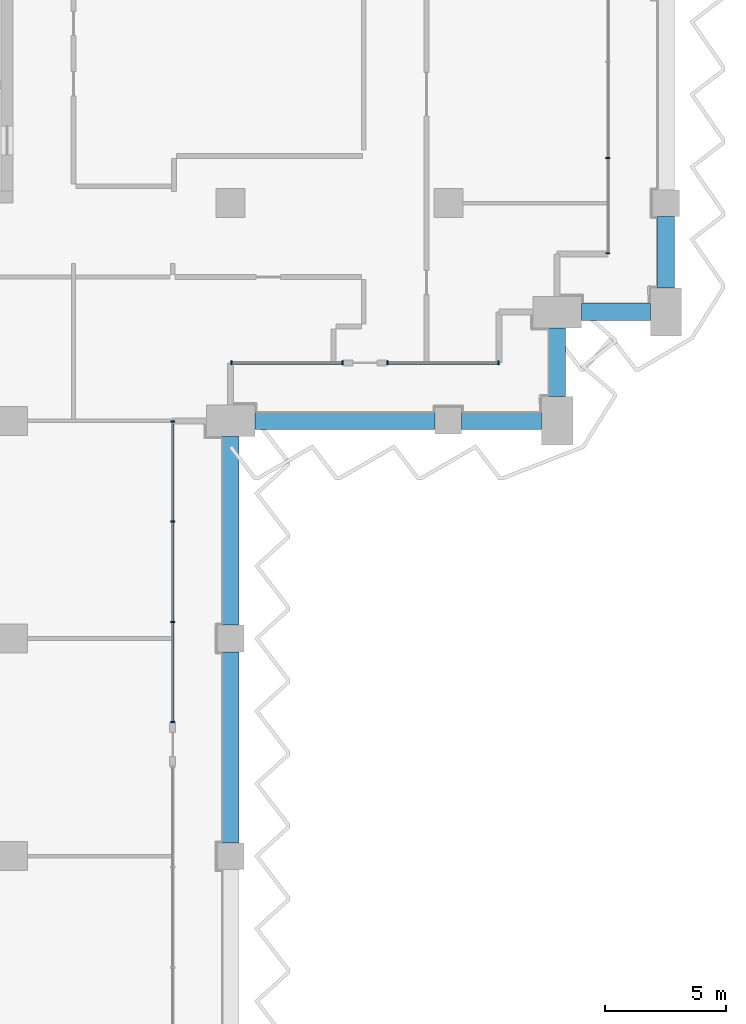
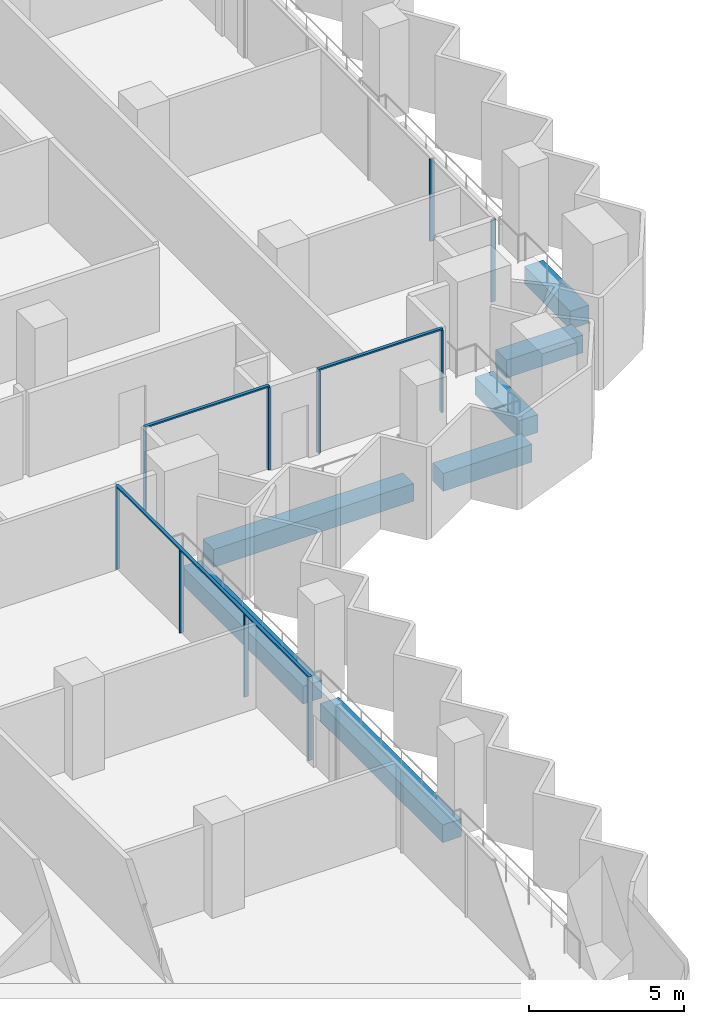
# One storey, part 4 of 22: 13 members, 7 beams, 4 elements without a shape of their own.
"""IFC4 building model written with IfcOpenShell, lengths in metres."""

from ifc_helpers import new_model, si_unit, direction, frame, origin, origin_2d, place, context, subcontext, project, spatial, rectangle, extrude, material, material_profile, profile_set, type_object, element, aggregate, save


model = new_model("IFC4")

# Units and contexts
model_context = context("Model", 3, precision=1e-05, world=origin(), true_north=direction((0.0, 1.0)))
body_context = subcontext(model_context, "Body", "Model", "MODEL_VIEW")
ifc_project = project(units=[si_unit("LENGTHUNIT", "METRE"), si_unit("AREAUNIT", "SQUARE_METRE"), si_unit("VOLUMEUNIT", "CUBIC_METRE"), si_unit("PLANEANGLEUNIT", "RADIAN"), si_unit("MASSUNIT", "GRAM", prefix="KILO")], contexts=[model_context])

# Site, building, storey
site_placement = place(None, origin())
site = spatial("IfcSite", under=ifc_project, at=site_placement, CompositionType="ELEMENT")
building_placement = place(site_placement, origin())
building = spatial("IfcBuilding", under=site, at=building_placement, Name="Hunhe Ridgeline Campus", CompositionType="ELEMENT")
storey_placement = place(building_placement, frame((0.0, 0.0, 163.39990234375)))
storey = spatial("IfcBuildingStorey", under=building, at=storey_placement, Name="L41", CompositionType="ELEMENT", Elevation=163.39990234375)

# Curtain wall, members
ifc_material_1 = material(Name="Aluminium 6063", Category="aluminium")
curtain_wall_type = type_object("IfcCurtainWallType", Name="Curtain wall CW-1", PredefinedType="NOTDEFINED", material=ifc_material_1)
curtain_wall_1_placement = place(storey_placement, origin())
curtain_wall_1 = element("IfcCurtainWall", 1, at=curtain_wall_1_placement, inside=storey, type_object=curtain_wall_type, Name="Curtain wall 12", PredefinedType="NOTDEFINED")
ifc_material_profile_1 = material_profile(ifc_material_1, rectangle(XDim=0.159912109375, YDim=0.06005859375, at=origin_2d()))
ifc_profile_set_1 = profile_set([ifc_material_profile_1], Name="Aluminium 6063")
member_type_1 = type_object("IfcMemberType", Name="CW-1 aluminium mullion", PredefinedType="MULLION", material=ifc_profile_set_1)
member_1_placement = place(storey_placement, frame((42.59912109375, 41.548583984375, 0.0), z_axis=(0.0, 0.0, 1.0), x_axis=(-0.99999999999, 4.406345e-06, 0.0)))
member_1 = element("IfcMember", 2, at=member_1_placement, type_object=member_type_1, Name="CW-1 mullion 1", PredefinedType="MULLION", context=body_context, shape_type="SweptSolid", body=[
    extrude(rectangle(XDim=0.159912109375, YDim=0.06005859375, at=origin_2d()), origin(), (0.0, 0.0, 1.0), 3.239990234375),
])
member_2_placement = place(storey_placement, frame((42.59912109375, 45.67919921875, 0.0), z_axis=(0.0, 0.0, 1.0), x_axis=(-0.99999999999, 4.406345e-06, 0.0)))
member_2 = element("IfcMember", 3, at=member_2_placement, type_object=member_type_1, Name="CW-1 mullion 2", PredefinedType="MULLION", context=body_context, shape_type="SweptSolid", body=[
    extrude(rectangle(XDim=0.159912109375, YDim=0.06005859375, at=origin_2d()), origin(), (0.0, 0.0, 1.0), 3.239990234375),
])
member_3_placement = place(storey_placement, frame((42.59912109375, 49.83984375, 0.0), z_axis=(0.0, 0.0, 1.0), x_axis=(-0.99999999999, 4.406345e-06, 0.0)))
member_3 = element("IfcMember", 4, at=member_3_placement, type_object=member_type_1, Name="CW-1 mullion 3", PredefinedType="MULLION", context=body_context, shape_type="SweptSolid", body=[
    extrude(rectangle(XDim=0.159912109375, YDim=0.06005859375, at=origin_2d()), origin(), (0.0, 0.0, 1.0), 3.239990234375),
])
member_4_placement = place(storey_placement, frame((42.59912109375, 53.970458984375, 0.0), z_axis=(0.0, 0.0, 1.0), x_axis=(-0.99999999999, 4.406345e-06, 0.0)))
member_4 = element("IfcMember", 5, at=member_4_placement, type_object=member_type_1, Name="CW-1 mullion 4", PredefinedType="MULLION", context=body_context, shape_type="SweptSolid", body=[
    extrude(rectangle(XDim=0.159912109375, YDim=0.06005859375, at=origin_2d()), origin(), (0.0, 0.0, 1.0), 3.239990234375),
])

curtain_wall_2_placement = place(storey_placement, origin())
curtain_wall_2 = element("IfcCurtainWall", 6, at=curtain_wall_2_placement, inside=storey, type_object=curtain_wall_type, Name="Curtain wall 13", PredefinedType="NOTDEFINED")
member_5_placement = place(storey_placement, frame((45.02978515625, 56.40087890625, 0.0), z_axis=(0.0, 0.0, 1.0), x_axis=(-1.72058e-06, 0.999999999999, 0.0)))
member_5 = element("IfcMember", 7, at=member_5_placement, type_object=member_type_1, Name="CW-1 mullion 1", PredefinedType="MULLION", context=body_context, shape_type="SweptSolid", body=[
    extrude(rectangle(XDim=0.159912109375, YDim=0.06005859375, at=origin_2d()), origin(), (0.0, 0.0, 1.0), 3.239990234375),
])
member_6_placement = place(storey_placement, frame((49.619384765625, 56.40087890625, 0.0), z_axis=(0.0, 0.0, 1.0), x_axis=(-1.72058e-06, 0.999999999999, 0.0)))
member_6 = element("IfcMember", 8, at=member_6_placement, type_object=member_type_1, Name="CW-1 mullion 2", PredefinedType="MULLION", context=body_context, shape_type="SweptSolid", body=[
    extrude(rectangle(XDim=0.159912109375, YDim=0.06005859375, at=origin_2d()), origin(), (0.0, 0.0, 1.0), 3.239990234375),
])

curtain_wall_3_placement = place(storey_placement, origin())
curtain_wall_3 = element("IfcCurtainWall", 9, at=curtain_wall_3_placement, inside=storey, type_object=curtain_wall_type, Name="Curtain wall 14", PredefinedType="NOTDEFINED")
member_7_placement = place(storey_placement, frame((51.4794921875, 56.40087890625, 0.0), z_axis=(0.0, 0.0, 1.0), x_axis=(-1.72058e-06, 0.999999999999, 0.0)))
member_7 = element("IfcMember", 10, at=member_7_placement, type_object=member_type_1, Name="CW-1 mullion 1", PredefinedType="MULLION", context=body_context, shape_type="SweptSolid", body=[
    extrude(rectangle(XDim=0.159912109375, YDim=0.06005859375, at=origin_2d()), origin(), (0.0, 0.0, 1.0), 3.239990234375),
])
member_8_placement = place(storey_placement, frame((56.069091796875, 56.40087890625, 0.0), z_axis=(0.0, 0.0, 1.0), x_axis=(-1.72058e-06, 0.999999999999, 0.0)))
member_8 = element("IfcMember", 11, at=member_8_placement, type_object=member_type_1, Name="CW-1 mullion 2", PredefinedType="MULLION", context=body_context, shape_type="SweptSolid", body=[
    extrude(rectangle(XDim=0.159912109375, YDim=0.06005859375, at=origin_2d()), origin(), (0.0, 0.0, 1.0), 3.239990234375),
])

curtain_wall_4_placement = place(storey_placement, origin())
curtain_wall_4 = element("IfcCurtainWall", 12, at=curtain_wall_4_placement, inside=storey, type_object=curtain_wall_type, Name="Curtain wall 15", PredefinedType="NOTDEFINED")
member_9_placement = place(storey_placement, frame((60.59912109375, 60.930908203125, 0.0), z_axis=(0.0, 0.0, 1.0), x_axis=(-1.0, 0.0, 0.0)))
member_9 = element("IfcMember", 13, at=member_9_placement, type_object=member_type_1, Name="CW-1 mullion 1", PredefinedType="MULLION", context=body_context, shape_type="SweptSolid", body=[
    extrude(rectangle(XDim=0.159912109375, YDim=0.06005859375, at=origin_2d()), origin(), (0.0, 0.0, 1.0), 3.239990234375),
])
member_10_placement = place(storey_placement, frame((60.59912109375, 64.8759765625, 0.0), z_axis=(0.0, 0.0, 1.0), x_axis=(-1.0, 0.0, 0.0)))
member_10 = element("IfcMember", 14, at=member_10_placement, type_object=member_type_1, Name="CW-1 mullion 2", PredefinedType="MULLION", context=body_context, shape_type="SweptSolid", body=[
    extrude(rectangle(XDim=0.159912109375, YDim=0.06005859375, at=origin_2d()), origin(), (0.0, 0.0, 1.0), 3.239990234375),
])
aggregate(curtain_wall_4, [member_9, member_10])

# Member
ifc_material_profile_2 = material_profile(ifc_material_1, rectangle(XDim=0.1201171875, YDim=0.06005859375, at=origin_2d()))
ifc_profile_set_2 = profile_set([ifc_material_profile_2], Name="Aluminium 6063")
member_type_2 = type_object("IfcMemberType", Name="CW-1 aluminium transom", PredefinedType="USERDEFINED", material=ifc_profile_set_2)
member_11_placement = place(storey_placement, frame((42.59912109375, 41.5185546875, 3.27001953125), z_axis=(0.0, 1.0, 0.0), x_axis=(-1.0, 0.0, 0.0)))
member_11 = element("IfcMember", 15, at=member_11_placement, type_object=member_type_2, Name="CW-1 transom 1", ObjectType="TRANSOM", PredefinedType="USERDEFINED", context=body_context, shape_type="SweptSolid", body=[
    extrude(rectangle(XDim=0.1201171875, YDim=0.06005859375, at=origin_2d()), origin(), (0.0, 0.0, 1.0), 12.48193359375),
])

aggregate(curtain_wall_1, [member_11, member_1, member_2, member_3, member_4])

member_12_placement = place(storey_placement, frame((44.999755859375, 56.40087890625, 3.27001953125), z_axis=(1.0, 0.0, 0.0), x_axis=(0.0, 1.0, 0.0)))
member_12 = element("IfcMember", 16, at=member_12_placement, type_object=member_type_2, Name="CW-1 transom 1", ObjectType="TRANSOM", PredefinedType="USERDEFINED", context=body_context, shape_type="SweptSolid", body=[
    extrude(rectangle(XDim=0.1201171875, YDim=0.06005859375, at=origin_2d()), origin(), (0.0, 0.0, 1.0), 4.649658203125),
])

aggregate(curtain_wall_2, [member_12, member_5, member_6])

member_13_placement = place(storey_placement, frame((51.449462890625, 56.40087890625, 3.27001953125), z_axis=(1.0, 0.0, 0.0), x_axis=(0.0, 1.0, 0.0)))
member_13 = element("IfcMember", 17, at=member_13_placement, type_object=member_type_2, Name="CW-1 transom 1", ObjectType="TRANSOM", PredefinedType="USERDEFINED", context=body_context, shape_type="SweptSolid", body=[
    extrude(rectangle(XDim=0.1201171875, YDim=0.06005859375, at=origin_2d()), origin(), (0.0, 0.0, 1.0), 4.649658203125),
])

aggregate(curtain_wall_3, [member_13, member_7, member_8])

# Beams
ifc_material_2 = material(Name="Concrete C60", Category="concrete")
ifc_material_profile_3 = material_profile(ifc_material_2, rectangle(XDim=0.699951171875, YDim=0.699951171875, at=origin_2d()))
ifc_profile_set_3 = profile_set([ifc_material_profile_3], Name="Concrete C60")
beam_type = type_object("IfcBeamType", Name="RC spandrel beam 700x700 Concrete C60", PredefinedType="SPANDREL", material=ifc_profile_set_3)
beam_1_placement = place(storey_placement, frame((45.0, 36.550048828125, -0.599853515625), z_axis=(0.0, 1.0, 0.0), x_axis=(-1.0, 0.0, 0.0)))
element("IfcBeam", 18, at=beam_1_placement, inside=storey, type_object=beam_type, Name="Spandrel beam B2-10 L41", PredefinedType="SPANDREL", context=body_context, shape_type="SweptSolid", body=[
    extrude(rectangle(XDim=0.699951171875, YDim=0.699951171875, at=origin_2d()), origin(), (0.0, 0.0, 1.0), 7.89990234375),
])
beam_2_placement = place(storey_placement, frame((45.0, 45.550048828125, -0.599853515625), z_axis=(0.0, 1.0, 0.0), x_axis=(-1.0, 0.0, 0.0)))
element("IfcBeam", 19, at=beam_2_placement, inside=storey, type_object=beam_type, Name="Spandrel beam B2-11 L41", PredefinedType="SPANDREL", context=body_context, shape_type="SweptSolid", body=[
    extrude(rectangle(XDim=0.699951171875, YDim=0.699951171875, at=origin_2d()), origin(), (0.0, 0.0, 1.0), 7.800048828125),
])
beam_3_placement = place(storey_placement, frame((46.0, 54.0, -0.599853515625), z_axis=(1.0, 0.0, 0.0), x_axis=(0.0, 1.0, 0.0)))
element("IfcBeam", 20, at=beam_3_placement, inside=storey, type_object=beam_type, Name="Spandrel beam B2-12 L41", PredefinedType="SPANDREL", context=body_context, shape_type="SweptSolid", body=[
    extrude(rectangle(XDim=0.699951171875, YDim=0.699951171875, at=origin_2d()), origin(), (0.0, 0.0, 1.0), 7.449951171875),
])
beam_4_placement = place(storey_placement, frame((54.550048828125, 54.0, -0.599853515625), z_axis=(1.0, 0.0, 0.0), x_axis=(0.0, 1.0, 0.0)))
element("IfcBeam", 21, at=beam_4_placement, inside=storey, type_object=beam_type, Name="Spandrel beam B2-13 L41", PredefinedType="SPANDREL", context=body_context, shape_type="SweptSolid", body=[
    extrude(rectangle(XDim=0.699951171875, YDim=0.699951171875, at=origin_2d()), origin(), (0.0, 0.0, 1.0), 3.300048828125),
])
for number, where, z_axis, x_axis, name in (
    (22, (58.5, 55.0, -0.599853515625), (0.0, 1.0, 0.0), (-1.0, 0.0, 0.0), "Spandrel beam B2-14 L41"),
    (23, (59.5, 58.5, -0.599853515625), (1.0, 0.0, 0.0), (0.0, 1.0, 0.0), "Spandrel beam B2-15 L41"),
):
    element("IfcBeam", number, at=place(storey_placement, frame(where, z_axis=z_axis, x_axis=x_axis)), inside=storey, type_object=beam_type, Name=name, PredefinedType="SPANDREL", context=body_context, shape_type="SweptSolid", body=[
        extrude(rectangle(XDim=0.699951171875, YDim=0.699951171875, at=origin_2d()), origin(), (0.0, 0.0, 1.0), 2.85009765625),
    ])
beam_5_placement = place(storey_placement, frame((63.0, 59.5, -0.599853515625), z_axis=(0.0, 1.0, 0.0), x_axis=(-1.0, 0.0, 0.0)))
element("IfcBeam", 24, at=beam_5_placement, inside=storey, type_object=beam_type, Name="Spandrel beam B2-16 L41", PredefinedType="SPANDREL", context=body_context, shape_type="SweptSolid", body=[
    extrude(rectangle(XDim=0.699951171875, YDim=0.699951171875, at=origin_2d()), origin(), (0.0, 0.0, 1.0), 2.949951171875),
])

save(model, "model.ifc")
